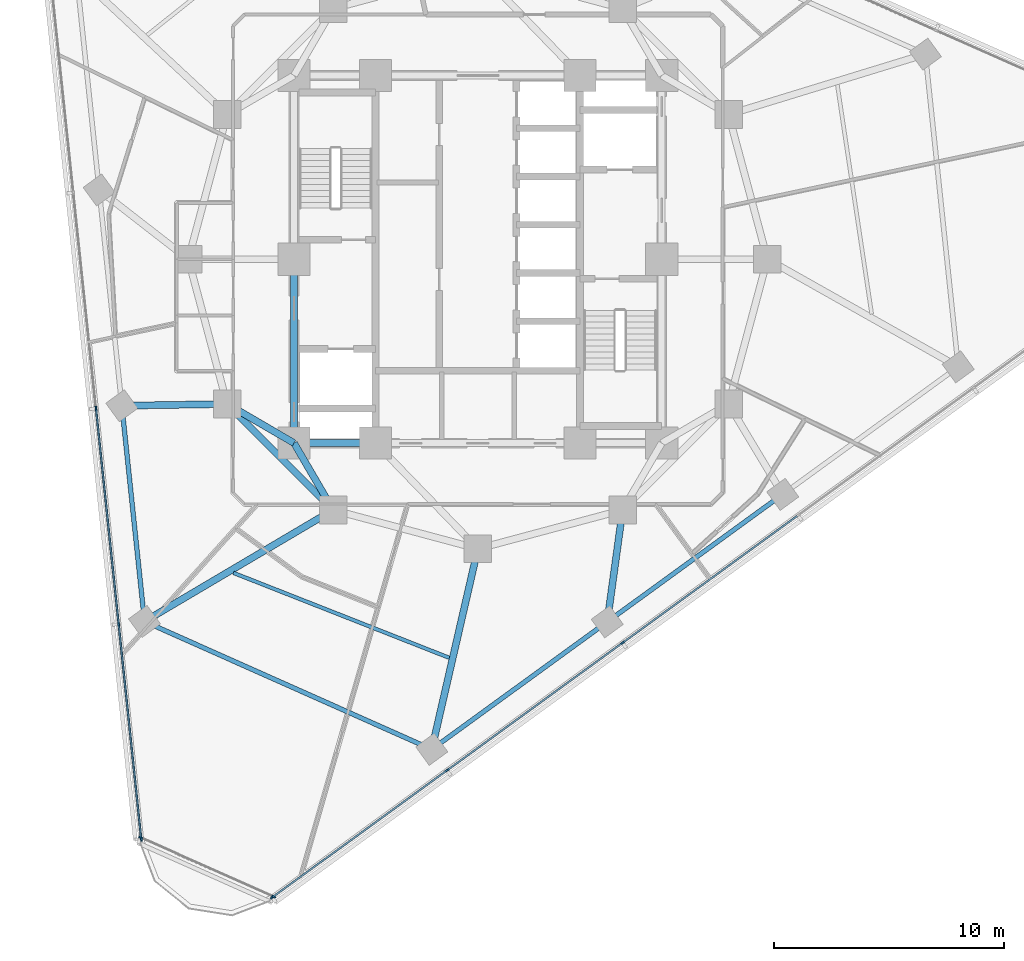
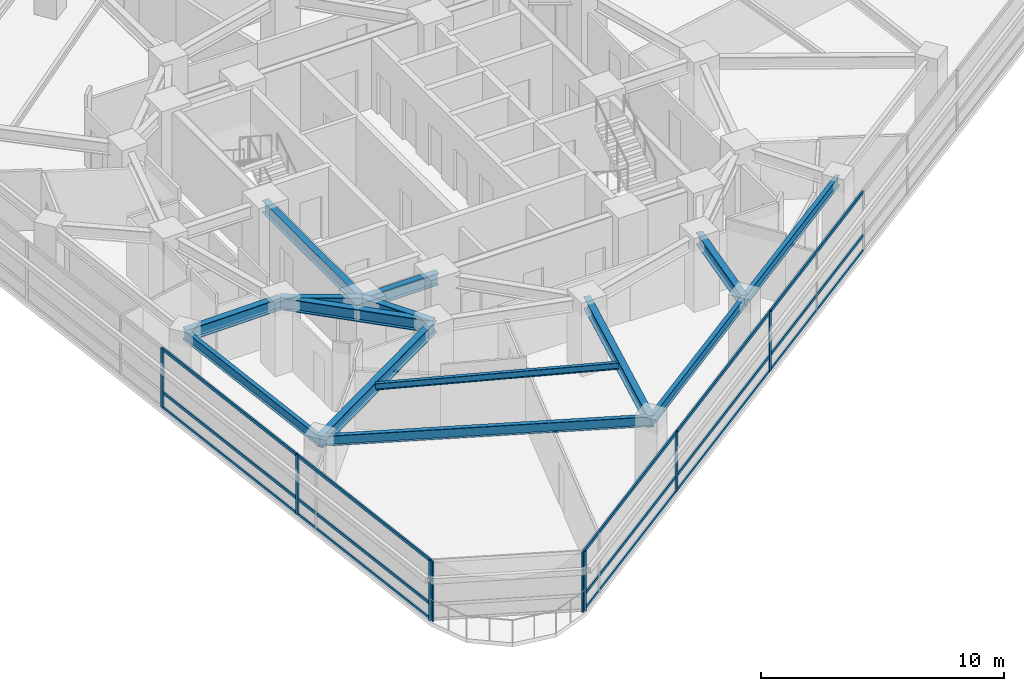
# One storey, part 2 of 14: 23 members, 14 beams, 3 elements without a shape of their own.
"""IFC4 building model written with IfcOpenShell, lengths in metres."""

from ifc_helpers import new_model, si_unit, direction, frame, origin, origin_2d, place, context, subcontext, project, spatial, rectangle, i_section, extrude, material, layer, layer_set, material_profile, profile_set, type_object, element, aggregate, save


model = new_model("IFC4")

# Units and contexts
model_context = context("Model", 3, precision=1e-05, world=origin(), true_north=direction((0.0, 1.0)))
body_context = subcontext(model_context, "Body", "Model", "MODEL_VIEW")
ifc_project = project(units=[si_unit("LENGTHUNIT", "METRE"), si_unit("AREAUNIT", "SQUARE_METRE"), si_unit("VOLUMEUNIT", "CUBIC_METRE"), si_unit("PLANEANGLEUNIT", "RADIAN"), si_unit("MASSUNIT", "GRAM", prefix="KILO")], contexts=[model_context])

# Site, building, storey
site_placement = place(None, origin())
site = spatial("IfcSite", under=ifc_project, at=site_placement, CompositionType="ELEMENT")
building_placement = place(site_placement, origin())
building = spatial("IfcBuilding", under=site, at=building_placement, Name="Terralouvre Media Tower", CompositionType="ELEMENT")
storey_placement = place(building_placement, frame((0.0, 0.0, 169.39990234375)))
storey = spatial("IfcBuildingStorey", under=building, at=storey_placement, Name="L43", CompositionType="ELEMENT", Elevation=169.39990234375)

# Beam
ifc_material_1 = material(Name="Structural steel S355J2", Category="steel")
ifc_material_profile_1 = material_profile(ifc_material_1, i_section(OverallWidth=0.159912109375, OverallDepth=0.330078125, WebThickness=0.007568359375, FlangeThickness=0.011474609375, at=origin_2d()), Name="IPE 330")
ifc_profile_set_1 = profile_set([ifc_material_profile_1], Name="Structural steel S355J2")
beam_type_1 = type_object("IfcBeamType", Name="Composite Floor Joist J-IPE330 (IPE 330)", PredefinedType="JOIST", material=ifc_profile_set_1)
beam_1_placement = place(storey_placement, frame((-10.638916015625, -13.648681640625, 3.335205078125), z_axis=(0.93055150024, -0.366161037525, 0.0), x_axis=(0.366161037525, 0.93055150024, 0.0)))
element("IfcBeam", 1, at=beam_1_placement, inside=storey, type_object=beam_type_1, Name="L43 Framing Beam JT-L43-01", PredefinedType="JOIST", context=body_context, shape_type="SweptSolid", body=[
    extrude(i_section(OverallWidth=0.159912109375, OverallDepth=0.330078125, WebThickness=0.007568359375, FlangeThickness=0.011474609375, at=origin_2d()), origin(), (0.0, 0.0, 1.0), 10.0966796875),
])

# Curtain wall, members
ifc_material_2 = material(Name="Low-iron laminated double glazing with solar-control coating", Category="glass")
ifc_layer_1 = layer(ifc_material_2, 0.1650390625, Name="Production Studio Tower Curtain Wall CW-03")
ifc_layer_set_1 = layer_set([ifc_layer_1], Name="Low-iron laminated double glazing with solar-control coating")
curtain_wall_type_1 = type_object("IfcCurtainWallType", Name="Production Studio Tower Curtain Wall CW-03", PredefinedType="NOTDEFINED", material=ifc_layer_set_1)
curtain_wall_1_placement = place(storey_placement, origin())
curtain_wall_1 = element("IfcCurtainWall", 2, at=curtain_wall_1_placement, inside=storey, type_object=curtain_wall_type_1, Name="L43 Facade Curtain Wall F0", PredefinedType="NOTDEFINED")
ifc_material_3 = material(Name="Anodised extruded aluminium 6063-T6", Category="aluminium")
ifc_material_profile_2 = material_profile(ifc_material_3, rectangle(XDim=0.074951171875, YDim=0.14990234375, at=origin_2d()), Name="ALU 75x150")
ifc_profile_set_2 = profile_set([ifc_material_profile_2], Name="Anodised extruded aluminium 6063-T6")
member_type_1 = type_object("IfcMemberType", Name="Curtain-Wall Horizontal Transom TR-150", PredefinedType="USERDEFINED", material=ifc_profile_set_2)
member_1_placement = place(storey_placement, frame((-8.9189453125, -27.7470703125, 0.03759765625), z_axis=(0.809025744282, 0.58777320889, 0.0), x_axis=(-0.58777320889, 0.809025744282, 0.0)))
member_1 = element("IfcMember", 3, at=member_1_placement, type_object=member_type_1, Name="CW-03 transom 1.1", ObjectType="TRANSOM", PredefinedType="USERDEFINED", context=body_context, shape_type="SweptSolid", body=[
    extrude(rectangle(XDim=0.074951171875, YDim=0.14990234375, at=origin_2d()), origin(), (0.0, 0.0, 1.0), 9.327392578125),
])
member_2_placement = place(storey_placement, frame((-8.9189453125, -27.7470703125, 0.800048828125), z_axis=(0.809025744282, 0.58777320889, 0.0), x_axis=(-0.58777320889, 0.809025744282, 0.0)))
member_2 = element("IfcMember", 4, at=member_2_placement, type_object=member_type_1, Name="CW-03 transom 1.2", ObjectType="TRANSOM", PredefinedType="USERDEFINED", context=body_context, shape_type="SweptSolid", body=[
    extrude(rectangle(XDim=0.074951171875, YDim=0.14990234375, at=origin_2d()), origin(), (0.0, 0.0, 1.0), 9.327392578125),
])
member_3_placement = place(storey_placement, frame((-8.9189453125, -27.7470703125, 2.962646484375), z_axis=(0.809025744282, 0.58777320889, 0.0), x_axis=(-0.58777320889, 0.809025744282, 0.0)))
member_3 = element("IfcMember", 5, at=member_3_placement, type_object=member_type_1, Name="CW-03 transom 1.3", ObjectType="TRANSOM", PredefinedType="USERDEFINED", context=body_context, shape_type="SweptSolid", body=[
    extrude(rectangle(XDim=0.074951171875, YDim=0.14990234375, at=origin_2d()), origin(), (0.0, 0.0, 1.0), 9.327392578125),
])
member_4_placement = place(storey_placement, frame((-1.312255859375, -22.220458984375, 0.03759765625), z_axis=(0.809014443998, 0.587788762569, 0.0), x_axis=(-0.587788762569, 0.809014443998, 0.0)))
member_4 = element("IfcMember", 6, at=member_4_placement, type_object=member_type_1, Name="CW-03 transom 2.1", ObjectType="TRANSOM", PredefinedType="USERDEFINED", context=body_context, shape_type="SweptSolid", body=[
    extrude(rectangle(XDim=0.074951171875, YDim=0.14990234375, at=origin_2d()), origin(), (0.0, 0.0, 1.0), 9.364990234375),
])
member_5_placement = place(storey_placement, frame((-1.312255859375, -22.220458984375, 0.800048828125), z_axis=(0.809014443998, 0.587788762569, 0.0), x_axis=(-0.587788762569, 0.809014443998, 0.0)))
member_5 = element("IfcMember", 7, at=member_5_placement, type_object=member_type_1, Name="CW-03 transom 2.2", ObjectType="TRANSOM", PredefinedType="USERDEFINED", context=body_context, shape_type="SweptSolid", body=[
    extrude(rectangle(XDim=0.074951171875, YDim=0.14990234375, at=origin_2d()), origin(), (0.0, 0.0, 1.0), 9.364990234375),
])
member_6_placement = place(storey_placement, frame((-1.312255859375, -22.220458984375, 2.962646484375), z_axis=(0.809014443998, 0.587788762569, 0.0), x_axis=(-0.587788762569, 0.809014443998, 0.0)))
member_6 = element("IfcMember", 8, at=member_6_placement, type_object=member_type_1, Name="CW-03 transom 2.3", ObjectType="TRANSOM", PredefinedType="USERDEFINED", context=body_context, shape_type="SweptSolid", body=[
    extrude(rectangle(XDim=0.074951171875, YDim=0.14990234375, at=origin_2d()), origin(), (0.0, 0.0, 1.0), 9.364990234375),
])
member_7_placement = place(storey_placement, frame((6.324951171875, -16.671875, 0.03759765625), z_axis=(0.809014443998, 0.587788762569, 0.0), x_axis=(-0.587788762569, 0.809014443998, 0.0)))
member_7 = element("IfcMember", 9, at=member_7_placement, type_object=member_type_1, Name="CW-03 transom 3.1", ObjectType="TRANSOM", PredefinedType="USERDEFINED", context=body_context, shape_type="SweptSolid", body=[
    extrude(rectangle(XDim=0.074951171875, YDim=0.14990234375, at=origin_2d()), origin(), (0.0, 0.0, 1.0), 9.364990234375),
])
member_8_placement = place(storey_placement, frame((6.324951171875, -16.671875, 0.800048828125), z_axis=(0.809014443998, 0.587788762569, 0.0), x_axis=(-0.587788762569, 0.809014443998, 0.0)))
member_8 = element("IfcMember", 10, at=member_8_placement, type_object=member_type_1, Name="CW-03 transom 3.2", ObjectType="TRANSOM", PredefinedType="USERDEFINED", context=body_context, shape_type="SweptSolid", body=[
    extrude(rectangle(XDim=0.074951171875, YDim=0.14990234375, at=origin_2d()), origin(), (0.0, 0.0, 1.0), 9.364990234375),
])
member_9_placement = place(storey_placement, frame((6.324951171875, -16.671875, 2.962646484375), z_axis=(0.809014443998, 0.587788762569, 0.0), x_axis=(-0.587788762569, 0.809014443998, 0.0)))
member_9 = element("IfcMember", 11, at=member_9_placement, type_object=member_type_1, Name="CW-03 transom 3.3", ObjectType="TRANSOM", PredefinedType="USERDEFINED", context=body_context, shape_type="SweptSolid", body=[
    extrude(rectangle(XDim=0.074951171875, YDim=0.14990234375, at=origin_2d()), origin(), (0.0, 0.0, 1.0), 9.364990234375),
])

curtain_wall_2_placement = place(storey_placement, origin())
curtain_wall_2 = element("IfcCurtainWall", 12, at=curtain_wall_2_placement, inside=storey, type_object=curtain_wall_type_1, Name="L43 Facade Curtain Wall F2", PredefinedType="NOTDEFINED")
member_10_placement = place(storey_placement, frame((-16.614013671875, -6.52978515625, 0.03759765625), z_axis=(0.104538223456, -0.994520869483, 0.0), x_axis=(0.994520869483, 0.104538223456, 0.0)))
member_10 = element("IfcMember", 13, at=member_10_placement, type_object=member_type_1, Name="CW-03 transom 4.1", ObjectType="TRANSOM", PredefinedType="USERDEFINED", context=body_context, shape_type="SweptSolid", body=[
    extrude(rectangle(XDim=0.074951171875, YDim=0.14990234375, at=origin_2d()), origin(), (0.0, 0.0, 1.0), 9.364990234375),
])
member_11_placement = place(storey_placement, frame((-16.614013671875, -6.52978515625, 0.800048828125), z_axis=(0.104538223456, -0.994520869483, 0.0), x_axis=(0.994520869483, 0.104538223456, 0.0)))
member_11 = element("IfcMember", 14, at=member_11_placement, type_object=member_type_1, Name="CW-03 transom 4.2", ObjectType="TRANSOM", PredefinedType="USERDEFINED", context=body_context, shape_type="SweptSolid", body=[
    extrude(rectangle(XDim=0.074951171875, YDim=0.14990234375, at=origin_2d()), origin(), (0.0, 0.0, 1.0), 9.364990234375),
])
member_12_placement = place(storey_placement, frame((-16.614013671875, -6.52978515625, 2.962646484375), z_axis=(0.104538223456, -0.994520869483, 0.0), x_axis=(0.994520869483, 0.104538223456, 0.0)))
member_12 = element("IfcMember", 15, at=member_12_placement, type_object=member_type_1, Name="CW-03 transom 4.3", ObjectType="TRANSOM", PredefinedType="USERDEFINED", context=body_context, shape_type="SweptSolid", body=[
    extrude(rectangle(XDim=0.074951171875, YDim=0.14990234375, at=origin_2d()), origin(), (0.0, 0.0, 1.0), 9.364990234375),
])
member_13_placement = place(storey_placement, frame((-15.627197265625, -15.918212890625, 0.03759765625), z_axis=(0.104540358364, -0.994520645071, 0.0), x_axis=(0.994520645071, 0.104540358364, 0.0)))
member_13 = element("IfcMember", 16, at=member_13_placement, type_object=member_type_1, Name="CW-03 transom 5.1", ObjectType="TRANSOM", PredefinedType="USERDEFINED", context=body_context, shape_type="SweptSolid", body=[
    extrude(rectangle(XDim=0.074951171875, YDim=0.14990234375, at=origin_2d()), origin(), (0.0, 0.0, 1.0), 9.327392578125),
])
member_14_placement = place(storey_placement, frame((-15.627197265625, -15.918212890625, 0.800048828125), z_axis=(0.104540358364, -0.994520645071, 0.0), x_axis=(0.994520645071, 0.104540358364, 0.0)))
member_14 = element("IfcMember", 17, at=member_14_placement, type_object=member_type_1, Name="CW-03 transom 5.2", ObjectType="TRANSOM", PredefinedType="USERDEFINED", context=body_context, shape_type="SweptSolid", body=[
    extrude(rectangle(XDim=0.074951171875, YDim=0.14990234375, at=origin_2d()), origin(), (0.0, 0.0, 1.0), 9.327392578125),
])
member_15_placement = place(storey_placement, frame((-15.627197265625, -15.918212890625, 2.962646484375), z_axis=(0.104540358364, -0.994520645071, 0.0), x_axis=(0.994520645071, 0.104540358364, 0.0)))
member_15 = element("IfcMember", 18, at=member_15_placement, type_object=member_type_1, Name="CW-03 transom 5.3", ObjectType="TRANSOM", PredefinedType="USERDEFINED", context=body_context, shape_type="SweptSolid", body=[
    extrude(rectangle(XDim=0.074951171875, YDim=0.14990234375, at=origin_2d()), origin(), (0.0, 0.0, 1.0), 9.327392578125),
])

# Member
ifc_material_4 = material(Name="Anodised extruded aluminium 6063-T6", Category="aluminium")
ifc_material_profile_3 = material_profile(ifc_material_4, rectangle(XDim=0.074951171875, YDim=0.179931640625, at=origin_2d()), Name="ALU 75x180")
ifc_profile_set_3 = profile_set([ifc_material_profile_3], Name="Anodised extruded aluminium 6063-T6")
member_type_2 = type_object("IfcMemberType", Name="Curtain-Wall Vertical Mullion ML-180", PredefinedType="MULLION", material=ifc_profile_set_3)
member_16_placement = place(storey_placement, frame((-8.949462890625, -27.769287109375, 0.0), z_axis=(0.0, 0.0, 1.0), x_axis=(-0.587785358263, 0.809016917383, 0.0)))
member_16 = element("IfcMember", 19, at=member_16_placement, type_object=member_type_2, Name="CW-03 mullion 1", PredefinedType="MULLION", context=body_context, shape_type="SweptSolid", body=[
    extrude(rectangle(XDim=0.074951171875, YDim=0.179931640625, at=origin_2d()), origin(), (0.0, 0.0, 1.0), 3.0),
])

member_17_placement = place(storey_placement, frame((-1.342529296875, -22.24267578125, 0.0), z_axis=(0.0, 0.0, 1.0), x_axis=(-0.587785358263, 0.809016917383, 0.0)))
member_17 = element("IfcMember", 20, at=member_17_placement, type_object=member_type_2, Name="CW-03 mullion 2", PredefinedType="MULLION", context=body_context, shape_type="SweptSolid", body=[
    extrude(rectangle(XDim=0.074951171875, YDim=0.179931640625, at=origin_2d()), origin(), (0.0, 0.0, 1.0), 3.0),
])

member_18_placement = place(storey_placement, frame((6.294677734375, -16.69384765625, 0.0), z_axis=(0.0, 0.0, 1.0), x_axis=(-0.587785358263, 0.809016917383, 0.0)))
member_18 = element("IfcMember", 21, at=member_18_placement, type_object=member_type_2, Name="CW-03 mullion 3", PredefinedType="MULLION", context=body_context, shape_type="SweptSolid", body=[
    extrude(rectangle(XDim=0.074951171875, YDim=0.179931640625, at=origin_2d()), origin(), (0.0, 0.0, 1.0), 3.0),
])

aggregate(curtain_wall_1, [member_16, member_17, member_18, member_1, member_2, member_3, member_4, member_5, member_6, member_7, member_8, member_9])

member_19_placement = place(storey_placement, frame((-16.617919921875, -6.49267578125, 0.0), z_axis=(0.0, 0.0, 1.0), x_axis=(0.994521904516, 0.104528376236, 0.0)))
member_19 = element("IfcMember", 22, at=member_19_placement, type_object=member_type_2, Name="CW-03 mullion 4", PredefinedType="MULLION", context=body_context, shape_type="SweptSolid", body=[
    extrude(rectangle(XDim=0.074951171875, YDim=0.179931640625, at=origin_2d()), origin(), (0.0, 0.0, 1.0), 3.0),
])

member_20_placement = place(storey_placement, frame((-15.631103515625, -15.880859375, 0.0), z_axis=(0.0, 0.0, 1.0), x_axis=(0.994521904516, 0.104528376236, 0.0)))
member_20 = element("IfcMember", 23, at=member_20_placement, type_object=member_type_2, Name="CW-03 mullion 5", PredefinedType="MULLION", context=body_context, shape_type="SweptSolid", body=[
    extrude(rectangle(XDim=0.074951171875, YDim=0.179931640625, at=origin_2d()), origin(), (0.0, 0.0, 1.0), 3.0),
])

member_21_placement = place(storey_placement, frame((-14.648193359375, -25.23193359375, 0.0), z_axis=(0.0, 0.0, 1.0), x_axis=(0.994521904516, 0.104528376236, 0.0)))
member_21 = element("IfcMember", 24, at=member_21_placement, type_object=member_type_2, Name="CW-03 mullion 6", PredefinedType="MULLION", context=body_context, shape_type="SweptSolid", body=[
    extrude(rectangle(XDim=0.074951171875, YDim=0.179931640625, at=origin_2d()), origin(), (0.0, 0.0, 1.0), 3.0),
])

aggregate(curtain_wall_2, [member_19, member_20, member_21, member_10, member_11, member_12, member_13, member_14, member_15])

# Curtain wall, members
ifc_material_5 = material(Name="Low-iron laminated double glazing with solar-control coating", Category="glass")
ifc_layer_2 = layer(ifc_material_5, 0.1650390625, Name="Rounded Wind-Corner Curved Glazing CW-04")
ifc_layer_set_2 = layer_set([ifc_layer_2], Name="Low-iron laminated double glazing with solar-control coating")
curtain_wall_type_2 = type_object("IfcCurtainWallType", Name="Rounded Wind-Corner Curved Glazing CW-04", PredefinedType="NOTDEFINED", material=ifc_layer_set_2)
curtain_wall_3_placement = place(storey_placement, origin())
curtain_wall_3 = element("IfcCurtainWall", 25, at=curtain_wall_3_placement, inside=storey, type_object=curtain_wall_type_2, Name="L43 Rounded Wind-Corner Curtain Wall C0", PredefinedType="NOTDEFINED")
member_22_placement = place(storey_placement, frame((-14.67236328125, -25.169189453125, 0.0), z_axis=(0.0, 0.0, 1.0), x_axis=(0.406736754128, 0.913545408199, 0.0)))
member_22 = element("IfcMember", 26, at=member_22_placement, type_object=member_type_2, Name="CW-04 mullion 1", PredefinedType="MULLION", context=body_context, shape_type="SweptSolid", body=[
    extrude(rectangle(XDim=0.074951171875, YDim=0.179931640625, at=origin_2d()), origin(), (0.0, 0.0, 1.0), 3.0),
])
member_23_placement = place(storey_placement, frame((-8.886474609375, -27.7451171875, 0.0), z_axis=(0.0, 0.0, 1.0), x_axis=(0.406736754128, 0.913545408199, 0.0)))
member_23 = element("IfcMember", 27, at=member_23_placement, type_object=member_type_2, Name="CW-04 mullion 2", PredefinedType="MULLION", context=body_context, shape_type="SweptSolid", body=[
    extrude(rectangle(XDim=0.074951171875, YDim=0.179931640625, at=origin_2d()), origin(), (0.0, 0.0, 1.0), 3.0),
])
aggregate(curtain_wall_3, [member_22, member_23])

# Beams
ifc_material_6 = material(Name="Structural steel S355J2", Category="steel")
ifc_material_profile_4 = material_profile(ifc_material_6, i_section(OverallWidth=0.199951171875, OverallDepth=0.5, WebThickness=0.01025390625, FlangeThickness=0.01611328125, at=origin_2d()), Name="IPE 500")
ifc_profile_set_4 = profile_set([ifc_material_profile_4], Name="Structural steel S355J2")
beam_type_2 = type_object("IfcBeamType", Name="Perimeter Spandrel Beam SPB-500 (IPE 500)", PredefinedType="SPANDREL", material=ifc_profile_set_4)
beam_2_placement = place(storey_placement, frame((-15.494140625, -6.37451171875, 3.25), z_axis=(0.10453669331, -0.994521030321, 0.0), x_axis=(0.994521030321, 0.10453669331, 0.0)))
element("IfcBeam", 28, at=beam_2_placement, inside=storey, type_object=beam_type_2, Name="L43 Framing Beam BM-L43-PR01", PredefinedType="SPANDREL", context=body_context, shape_type="SweptSolid", body=[
    extrude(i_section(OverallWidth=0.199951171875, OverallDepth=0.5, WebThickness=0.01025390625, FlangeThickness=0.01611328125, at=origin_2d()), origin(), (0.0, 0.0, 1.0), 9.43994140625),
])
beam_3_placement = place(storey_placement, frame((-14.50732421875, -15.7626953125, 3.25), z_axis=(0.913542800127, -0.4067426119, 0.0), x_axis=(0.4067426119, 0.913542800127, 0.0)))
element("IfcBeam", 29, at=beam_3_placement, inside=storey, type_object=beam_type_2, Name="L43 Framing Beam BM-L43-PR02", PredefinedType="SPANDREL", context=body_context, shape_type="SweptSolid", body=[
    extrude(i_section(OverallWidth=0.199951171875, OverallDepth=0.5, WebThickness=0.01025390625, FlangeThickness=0.01611328125, at=origin_2d()), origin(), (0.0, 0.0, 1.0), 13.68359375),
])
beam_4_placement = place(storey_placement, frame((-2.0068359375, -21.328369140625, 3.25), z_axis=(0.809025644413, 0.587773346352, 0.0), x_axis=(-0.587773346352, 0.809025644413, 0.0)))
element("IfcBeam", 30, at=beam_4_placement, inside=storey, type_object=beam_type_2, Name="L43 Framing Beam BM-L43-PR03", PredefinedType="SPANDREL", context=body_context, shape_type="SweptSolid", body=[
    extrude(i_section(OverallWidth=0.199951171875, OverallDepth=0.5, WebThickness=0.01025390625, FlangeThickness=0.01611328125, at=origin_2d()), origin(), (0.0, 0.0, 1.0), 9.43994140625),
])
beam_5_placement = place(storey_placement, frame((5.63037109375, -15.77978515625, 3.25), z_axis=(0.809013346268, 0.587790273448, 0.0), x_axis=(-0.587790273448, 0.809013346268, 0.0)))
element("IfcBeam", 31, at=beam_5_placement, inside=storey, type_object=beam_type_2, Name="L43 Framing Beam BM-L43-PR04", PredefinedType="SPANDREL", context=body_context, shape_type="SweptSolid", body=[
    extrude(i_section(OverallWidth=0.199951171875, OverallDepth=0.5, WebThickness=0.01025390625, FlangeThickness=0.01611328125, at=origin_2d()), origin(), (0.0, 0.0, 1.0), 9.440185546875),
])
ifc_material_7 = material(Name="Structural steel S460M", Category="steel")
ifc_material_profile_5 = material_profile(ifc_material_7, i_section(OverallWidth=0.300048828125, OverallDepth=0.60009765625, WebThickness=0.015380859375, FlangeThickness=0.030029296875, at=origin_2d()), Name="HEB 600")
ifc_profile_set_5 = profile_set([ifc_material_profile_5], Name="Structural steel S460M")
beam_type_3 = type_object("IfcBeamType", Name="Primary Floor Girder B-HEB600 (HEB 600)", PredefinedType="BEAM", material=ifc_profile_set_5)
beam_6_placement = place(storey_placement, frame((-8.0, -8.0, 3.2001953125), z_axis=(1.0, 0.0, 0.0), x_axis=(0.0, 1.0, 0.0)))
element("IfcBeam", 32, at=beam_6_placement, inside=storey, type_object=beam_type_3, Name="L43 Framing Beam BM-L43-CPR01", PredefinedType="BEAM", context=body_context, shape_type="SweptSolid", body=[
    extrude(i_section(OverallWidth=0.300048828125, OverallDepth=0.60009765625, WebThickness=0.015380859375, FlangeThickness=0.030029296875, at=origin_2d()), origin(), (0.0, 0.0, 1.0), 3.550048828125),
])
beam_7_placement = place(storey_placement, frame((-8.0, 0.0, 3.2001953125), z_axis=(0.0, -1.0, 0.0), x_axis=(1.0, 0.0, 0.0)))
element("IfcBeam", 33, at=beam_7_placement, inside=storey, type_object=beam_type_3, Name="L43 Framing Beam BM-L43-CPR10", PredefinedType="BEAM", context=body_context, shape_type="SweptSolid", body=[
    extrude(i_section(OverallWidth=0.300048828125, OverallDepth=0.60009765625, WebThickness=0.015380859375, FlangeThickness=0.030029296875, at=origin_2d()), origin(), (0.0, 0.0, 1.0), 8.0),
])
beam_8_placement = place(storey_placement, frame((-10.911865234375, -6.300048828125, 3.2001953125), z_axis=(0.707106781187, -0.707106781187, 0.0), x_axis=(0.707106781187, 0.707106781187, 0.0)))
element("IfcBeam", 34, at=beam_8_placement, inside=storey, type_object=beam_type_3, Name="L43 Framing Beam BM-L43-MR01", PredefinedType="BEAM", context=body_context, shape_type="SweptSolid", body=[
    extrude(i_section(OverallWidth=0.300048828125, OverallDepth=0.60009765625, WebThickness=0.015380859375, FlangeThickness=0.030029296875, at=origin_2d()), origin(), (0.0, 0.0, 1.0), 6.52197265625),
])
for number, where, z_axis, x_axis, name in (
    (35, (-8.0, -8.0, 3.2001953125), (-0.863602894532, 0.504172629717, 0.0), (-0.504172629717, -0.863602894532, 0.0), "L43 Framing Beam BM-L43-CM01"),
    (36, (-8.0, -8.0, 3.2001953125), (0.504172629717, -0.863602894532, 0.0), (0.863602894532, 0.504172629717, 0.0), "L43 Framing Beam BM-L43-CM02"),
):
    element("IfcBeam", number, at=place(storey_placement, frame(where, z_axis=z_axis, x_axis=x_axis)), inside=storey, type_object=beam_type_3, Name=name, PredefinedType="BEAM", context=body_context, shape_type="SweptSolid", body=[
        extrude(i_section(OverallWidth=0.300048828125, OverallDepth=0.60009765625, WebThickness=0.015380859375, FlangeThickness=0.030029296875, at=origin_2d()), origin(), (0.0, 0.0, 1.0), 3.371826171875),
    ])
beam_9_placement = place(storey_placement, frame((-10.911865234375, -6.300048828125, 3.2001953125), z_axis=(-0.999867991647, -0.016248054635, 0.0), x_axis=(0.016248054635, -0.999867991647, 0.0)))
element("IfcBeam", 37, at=beam_9_placement, inside=storey, type_object=beam_type_3, Name="L43 Framing Beam BM-L43-RD01", PredefinedType="BEAM", context=body_context, shape_type="SweptSolid", body=[
    extrude(i_section(OverallWidth=0.300048828125, OverallDepth=0.60009765625, WebThickness=0.015380859375, FlangeThickness=0.030029296875, at=origin_2d()), origin(), (0.0, 0.0, 1.0), 4.582763671875),
])
beam_10_placement = place(storey_placement, frame((-6.300048828125, -10.911865234375, 3.2001953125), z_axis=(-0.86087707212, -0.508812997768, 0.0), x_axis=(0.508812997768, -0.86087707212, 0.0)))
element("IfcBeam", 38, at=beam_10_placement, inside=storey, type_object=beam_type_3, Name="L43 Framing Beam BM-L43-RD02", PredefinedType="BEAM", context=body_context, shape_type="SweptSolid", body=[
    extrude(i_section(OverallWidth=0.300048828125, OverallDepth=0.60009765625, WebThickness=0.015380859375, FlangeThickness=0.030029296875, at=origin_2d()), origin(), (0.0, 0.0, 1.0), 9.53369140625),
])
beam_11_placement = place(storey_placement, frame((0.0, -12.60009765625, 3.2001953125), z_axis=(-0.224077011605, -0.974571440619, 0.0), x_axis=(0.974571440619, -0.224077011605, 0.0)))
element("IfcBeam", 39, at=beam_11_placement, inside=storey, type_object=beam_type_3, Name="L43 Framing Beam BM-L43-RD03", PredefinedType="BEAM", context=body_context, shape_type="SweptSolid", body=[
    extrude(i_section(OverallWidth=0.300048828125, OverallDepth=0.60009765625, WebThickness=0.015380859375, FlangeThickness=0.030029296875, at=origin_2d()), origin(), (0.0, 0.0, 1.0), 8.9560546875),
])
beam_12_placement = place(storey_placement, frame((6.300048828125, -10.911865234375, 3.2001953125), z_axis=(-0.136285998947, -0.990669534452, 0.0), x_axis=(0.990669534452, -0.136285998947, 0.0)))
element("IfcBeam", 40, at=beam_12_placement, inside=storey, type_object=beam_type_3, Name="L43 Framing Beam BM-L43-RD04", PredefinedType="BEAM", context=body_context, shape_type="SweptSolid", body=[
    extrude(i_section(OverallWidth=0.300048828125, OverallDepth=0.60009765625, WebThickness=0.015380859375, FlangeThickness=0.030029296875, at=origin_2d()), origin(), (0.0, 0.0, 1.0), 4.913818359375),
])

save(model, "model.ifc")
